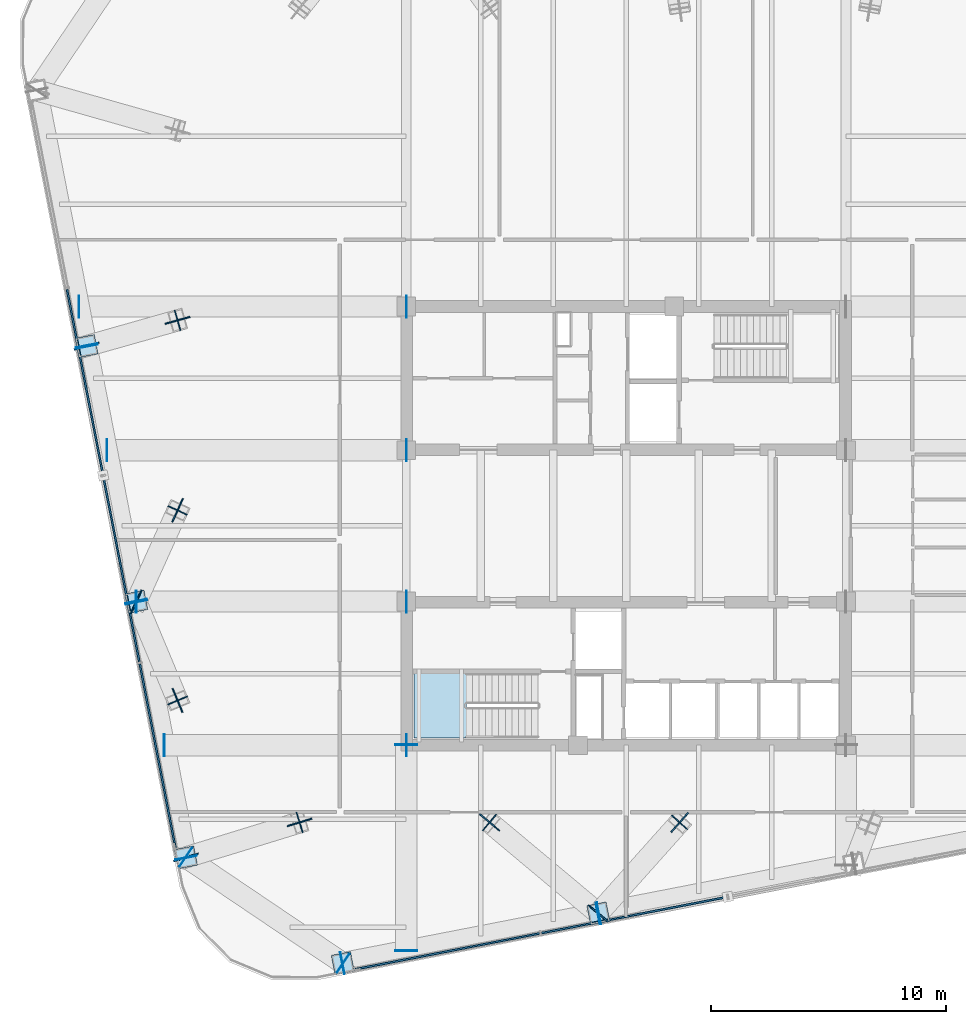
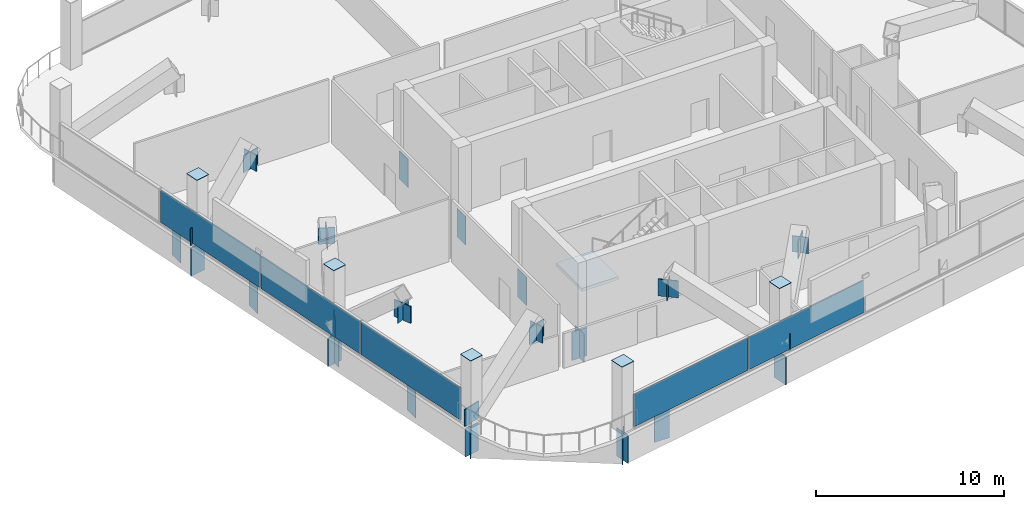
# One storey, part 18 of 26: 46 plates, 1 slab, 3 elements without a shape of their own.
"""IFC4 building model written with IfcOpenShell, lengths in metres."""

from ifc_helpers import new_model, si_unit, direction, frame, origin, origin_2d, place, context, subcontext, project, spatial, polyline, rectangle, outline, extrude, material, layer, layer_set, type_object, element, aggregate, save


model = new_model("IFC4")

# Units and contexts
model_context = context("Model", 3, precision=1e-05, world=origin(), true_north=direction((0.0, 1.0)))
body_context = subcontext(model_context, "Body", "Model", "MODEL_VIEW")
ifc_project = project(units=[si_unit("LENGTHUNIT", "METRE"), si_unit("AREAUNIT", "SQUARE_METRE"), si_unit("VOLUMEUNIT", "CUBIC_METRE"), si_unit("PLANEANGLEUNIT", "RADIAN"), si_unit("MASSUNIT", "GRAM", prefix="KILO")], contexts=[model_context])

# Site, building, storey
site_placement = place(None, origin())
site = spatial("IfcSite", under=ifc_project, at=site_placement, CompositionType="ELEMENT")
building_placement = place(site_placement, origin())
building = spatial("IfcBuilding", under=site, at=building_placement, Name="Qhalaya Broadcast Tower", CompositionType="ELEMENT")
storey_placement = place(building_placement, frame((0.0, 0.0, 140.25)))
storey = spatial("IfcBuildingStorey", under=building, at=storey_placement, Name="L41", CompositionType="ELEMENT", Elevation=140.25)

# Plates
ifc_material_1 = material(Name="Structural Steel ASTM A572 Grade 50", Category="steel")
ifc_layer_1 = layer(ifc_material_1, 0.054931640625, Name="Structural Steel ASTM A572 Grade 50")
ifc_layer_set_1 = layer_set([ifc_layer_1], Name="Structural Steel ASTM A572 Grade 50")
plate_type_1 = type_object("IfcPlateType", Name="Exoskeleton Diamond Node Gusset Plate NP-01", PredefinedType="USERDEFINED", material=ifc_layer_set_1)
for number, where, z_axis, x_axis, name in (
    (1, (-18.762451171875, -13.52880859375, 0.0), (0.0, 0.0, 1.0), (0.955849448873, 0.293856820729, 0.0), "L41 Strut Foot Gusset Plate 01"),
    (2, (-13.919921875, -12.0400390625, 2.7099609375), (0.0, 0.0, 1.0), (0.955849448873, 0.293856820729, 0.0), "L41 Strut Head Gusset Plate 01"),
    (3, (-1.183349609375, -15.91845703125, 0.0), (0.0, 0.0, 1.0), (-0.767030790094, 0.641610292193, 0.0), "L41 Strut Foot Gusset Plate 02"),
    (4, (-5.820068359375, -12.0400390625, 2.7099609375), (0.0, 0.0, 1.0), (-0.767030790094, 0.641610292193, 0.0), "L41 Strut Head Gusset Plate 02"),
    (5, (2.280029296875, -12.0400390625, 2.7099609375), (0.0, 0.0, 1.0), (0.666076960543, 0.745883022084, 0.0), "L41 Strut Head Gusset Plate 03"),
    (6, (-22.998291015625, 8.263427734375, 0.0), (0.0, 0.0, 1.0), (0.962274998667, 0.272078714605, 0.0), "L41 Strut Foot Gusset Plate 14"),
    (7, (-19.1201171875, 9.360107421875, 2.7099609375), (0.0, 0.0, 1.0), (0.962274998667, 0.272078714605, 0.0), "L41 Strut Head Gusset Plate 14"),
    (8, (-20.88037109375, -2.632568359375, 0.0), (0.0, 0.0, 1.0), (0.412071026371, 0.911151726786, 0.0), "L41 Strut Foot Gusset Plate 15"),
    (9, (-19.1201171875, 1.260009765625, 2.7099609375), (0.0, 0.0, 1.0), (0.412071026371, 0.911151726786, 0.0), "L41 Strut Head Gusset Plate 15"),
    (10, (-19.1201171875, -6.840087890625, 2.7099609375), (0.0, 0.0, 1.0), (0.38598654749, -0.922504409288, 0.0), "L41 Strut Head Gusset Plate 16"),
):
    element("IfcPlate", number, at=place(storey_placement, frame(where, z_axis=z_axis, x_axis=x_axis)), inside=storey, type_object=plate_type_1, Name=name, ObjectType="GUSSET_PLATE", PredefinedType="USERDEFINED", context=body_context, shape_type="SweptSolid", body=[
        extrude(rectangle(XDim=1.10009765625, YDim=0.06005859375, at=origin_2d()), origin(), (0.0, 0.0, 1.0), 1.10009765625),
    ])
ifc_layer_2 = layer(ifc_material_1, 0.4599609375, Name="Structural Steel ASTM A572 Grade 50")
ifc_layer_set_2 = layer_set([ifc_layer_2], Name="Structural Steel ASTM A572 Grade 50")
plate_type_2 = type_object("IfcPlateType", Name="Hollow Box Member End Cap Plate CP-01", PredefinedType="USERDEFINED", material=ifc_layer_set_2)
for number, where, z_axis, x_axis, name in (
    (11, (-12.09521484375, -18.039306640625, -2.0400390625), (0.0, 0.0, 1.0), (-0.190808995377, 0.981627183448, 0.0), "L41 Hollow Girder End Cap L41-SPR-01-A"),
    (12, (-1.167724609375, -15.915283203125, -2.0400390625), (0.0, 0.0, 1.0), (-0.190808995377, 0.981627183448, 0.0), "L41 Hollow Girder End Cap L41-SPR-01-B"),
    (13, (-1.19921875, -15.92138671875, -2.0400390625), (0.0, 0.0, 1.0), (-0.190808995377, 0.981627183448, 0.0), "L41 Hollow Girder End Cap L41-SPR-02-A"),
    (14, (-22.995361328125, 8.247802734375, -2.0400390625), (0.0, 0.0, 1.0), (0.981627183448, 0.190808995377, 0.0), "L41 Hollow Girder End Cap L41-SPR-13-B"),
    (15, (-23.00146484375, 8.279052734375, -2.0400390625), (0.0, 0.0, 1.0), (0.981627183448, 0.190808995377, 0.0), "L41 Hollow Girder End Cap L41-SPR-14-A"),
    (16, (-20.877197265625, -2.648193359375, -2.0400390625), (0.0, 0.0, 1.0), (0.981627183448, 0.190808995377, 0.0), "L41 Hollow Girder End Cap L41-SPR-14-B"),
    (17, (-20.883544921875, -2.616943359375, -2.0400390625), (0.0, 0.0, 1.0), (0.981627183448, 0.190808995377, 0.0), "L41 Hollow Girder End Cap L41-SPR-15-A"),
    (18, (-18.75927734375, -13.54443359375, -2.0400390625), (0.0, 0.0, 1.0), (0.981627183448, 0.190808995377, 0.0), "L41 Hollow Girder End Cap L41-SPR-15-B"),
    (19, (-18.775634765625, -13.519775390625, -2.0400390625), (0.0, 0.0, 1.0), (0.559192903471, 0.829037572555, 0.0), "L41 Hollow Girder End Cap L41-SPR-16-A"),
    (20, (-12.066162109375, -18.045166015625, -2.0400390625), (0.0, 0.0, 1.0), (0.559192903471, 0.829037572555, 0.0), "L41 Hollow Girder End Cap L41-SPR-16-B"),
    (21, (-9.375, -17.506103515625, -2.0400390625), (0.0, 0.0, 1.0), (-1.0, 0.0, 0.0), "L41 Hollow Girder End Cap L41-PGXS1-1-A"),
    (22, (-9.375, -8.73388671875, -2.0400390625), (0.0, 0.0, 1.0), (-1.0, 0.0, 0.0), "L41 Hollow Girder End Cap L41-PGXS1-1-B"),
    (23, (-19.68701171875, -8.75, -2.0400390625), (0.0, 0.0, 1.0), (0.0, 1.0, 0.0), "L41 Hollow Girder End Cap L41-PGYW1-1-A"),
    (24, (-9.35888671875, -8.75, -2.0400390625), (0.0, 0.0, 1.0), (0.0, 1.0, 0.0), "L41 Hollow Girder End Cap L41-PGYW1-1-B"),
    (25, (-20.87744140625, -2.625, -2.0400390625), (0.0, 0.0, 1.0), (0.0, 1.0, 0.0), "L41 Hollow Girder End Cap L41-PGYW2-1-A"),
    (26, (-9.35888671875, -2.625, -2.0400390625), (0.0, 0.0, 1.0), (0.0, 1.0, 0.0), "L41 Hollow Girder End Cap L41-PGYW2-1-B"),
    (27, (-22.13134765625, 3.824951171875, -2.0400390625), (0.0, 0.0, 1.0), (0.0, 1.0, 0.0), "L41 Hollow Girder End Cap L41-PGYW3-1-A"),
    (28, (-9.35888671875, 3.824951171875, -2.0400390625), (0.0, 0.0, 1.0), (0.0, 1.0, 0.0), "L41 Hollow Girder End Cap L41-PGYW3-1-B"),
    (29, (-23.322021484375, 9.949951171875, -2.0400390625), (0.0, 0.0, 1.0), (0.0, 1.0, 0.0), "L41 Hollow Girder End Cap L41-PGYW4-1-A"),
    (30, (-9.35888671875, 9.949951171875, -2.0400390625), (0.0, 0.0, 1.0), (0.0, 1.0, 0.0), "L41 Hollow Girder End Cap L41-PGYW4-1-B"),
):
    element("IfcPlate", number, at=place(storey_placement, frame(where, z_axis=z_axis, x_axis=x_axis)), inside=storey, type_object=plate_type_2, Name=name, ObjectType="COVER_PLATE", PredefinedType="USERDEFINED", context=body_context, shape_type="SweptSolid", body=[
        extrude(rectangle(XDim=0.93994140625, YDim=0.031982421875, at=origin_2d()), origin(), (0.0, 0.0, 1.0), 1.840087890625),
    ])
for number, where, z_axis, x_axis, name in (
    (31, (-12.07958984375, -18.036376953125, 4.35009765625), (0.0, 0.0, 1.0), (0.981627183448, 0.190808995377, 0.0), "L41 Hollow Box Column Top Cap Plate COL-EX01"),
    (32, (-1.183349609375, -15.91845703125, 4.35009765625), (0.0, 0.0, 1.0), (0.981627183448, 0.190808995377, 0.0), "L41 Hollow Box Column Top Cap Plate COL-EX02"),
    (33, (-22.998291015625, 8.263427734375, 4.35009765625), (0.0, 0.0, 1.0), (-0.190808995377, 0.981627183448, 0.0), "L41 Hollow Box Column Top Cap Plate COL-EX14"),
    (34, (-20.88037109375, -2.632568359375, 4.35009765625), (0.0, 0.0, 1.0), (-0.190808995377, 0.981627183448, 0.0), "L41 Hollow Box Column Top Cap Plate COL-EX15"),
    (35, (-18.762451171875, -13.52880859375, 4.35009765625), (0.0, 0.0, 1.0), (-0.190808995377, 0.981627183448, 0.0), "L41 Hollow Box Column Top Cap Plate COL-EX16"),
):
    element("IfcPlate", number, at=place(storey_placement, frame(where, z_axis=z_axis, x_axis=x_axis)), inside=storey, type_object=plate_type_2, Name=name, ObjectType="COVER_PLATE", PredefinedType="USERDEFINED", context=body_context, shape_type="SweptSolid", body=[
        extrude(rectangle(XDim=0.840087890625, YDim=0.840087890625, at=origin_2d()), origin(), (0.0, 0.0, 1.0), 0.031982421875),
    ])

# Curtain wall, plates
ifc_material_2 = material(Name="Fired Architectural Terracotta", Category="masonry")
ifc_layer_3 = layer(ifc_material_2, 0.219970703125, Name="Fired Architectural Terracotta")
ifc_layer_set_3 = layer_set([ifc_layer_3], Name="Fired Architectural Terracotta")
curtain_wall_type = type_object("IfcCurtainWallType", Name="Block-Cap Unitised Terracotta Spandrel Wall CW-07", PredefinedType="NOTDEFINED", material=ifc_layer_set_3)
curtain_wall_1_placement = place(storey_placement, origin())
curtain_wall_1 = element("IfcCurtainWall", 36, at=curtain_wall_1_placement, inside=storey, type_object=curtain_wall_type, Name="L41 Unitised Curtain Wall L41-CW-S", PredefinedType="NOTDEFINED")
ifc_layer_4 = layer(ifc_material_2, 0.080078125, Name="Fired Architectural Terracotta")
ifc_layer_set_4 = layer_set([ifc_layer_4], Name="Fired Architectural Terracotta")
plate_type_3 = type_object("IfcPlateType", Name="Insulated Terracotta Spandrel Panel TSP-07", PredefinedType="CURTAIN_PANEL", material=ifc_layer_set_4)
plate_1_placement = place(storey_placement, frame((0.342529296875, -15.988525390625, 0.074951171875), z_axis=(0.0, 0.0, 1.0), x_axis=(-0.981626973255, -0.190810076719, 0.0)))
plate_1 = element("IfcPlate", 37, at=plate_1_placement, type_object=plate_type_3, Name="CW-07 panel 3.1", PredefinedType="CURTAIN_PANEL", context=body_context, shape_type="SweptSolid", body=[
    extrude(rectangle(XDim=8.055908203125, YDim=0.080078125, at=origin_2d()), origin(), (0.0, 0.0, 1.0), 2.10009765625),
])
plate_2_placement = place(storey_placement, frame((-7.62060546875, -17.536376953125, 0.074951171875), z_axis=(0.0, 0.0, 1.0), x_axis=(-0.981626973255, -0.190810076719, 0.0)))
plate_2 = element("IfcPlate", 38, at=plate_2_placement, type_object=plate_type_3, Name="CW-07 panel 4.1", PredefinedType="CURTAIN_PANEL", context=body_context, shape_type="SweptSolid", body=[
    extrude(rectangle(XDim=8.0185546875, YDim=0.080078125, at=origin_2d()), origin(), (0.0, 0.0, 1.0), 2.10009765625),
])
aggregate(curtain_wall_1, [plate_1, plate_2])

curtain_wall_2_placement = place(storey_placement, origin())
curtain_wall_2 = element("IfcCurtainWall", 39, at=curtain_wall_2_placement, inside=storey, type_object=curtain_wall_type, Name="L41 Unitised Curtain Wall L41-CW-W", PredefinedType="NOTDEFINED")
plate_3_placement = place(storey_placement, frame((-19.968994140625, -9.207275390625, 0.074951171875), z_axis=(0.0, 0.0, 1.0), x_axis=(-0.190810076719, 0.981626973255, 0.0)))
plate_3 = element("IfcPlate", 40, at=plate_3_placement, type_object=plate_type_3, Name="CW-07 panel 1.1", PredefinedType="CURTAIN_PANEL", context=body_context, shape_type="SweptSolid", body=[
    extrude(rectangle(XDim=8.0185546875, YDim=0.080078125, at=origin_2d()), origin(), (0.0, 0.0, 1.0), 2.10009765625),
])
plate_4_placement = place(storey_placement, frame((-21.51708984375, -1.244140625, 0.074951171875), z_axis=(0.0, 0.0, 1.0), x_axis=(-0.190810076719, 0.981626973255, 0.0)))
plate_4 = element("IfcPlate", 41, at=plate_4_placement, type_object=plate_type_3, Name="CW-07 panel 2.1", PredefinedType="CURTAIN_PANEL", context=body_context, shape_type="SweptSolid", body=[
    extrude(rectangle(XDim=8.055908203125, YDim=0.080078125, at=origin_2d()), origin(), (0.0, 0.0, 1.0), 2.10009765625),
])
plate_5_placement = place(storey_placement, frame((-23.068603515625, 6.737548828125, 0.074951171875), z_axis=(0.0, 0.0, 1.0), x_axis=(-0.190810076719, 0.981626973255, 0.0)))
plate_5 = element("IfcPlate", 42, at=plate_5_placement, type_object=plate_type_3, Name="CW-07 panel 3.1", PredefinedType="CURTAIN_PANEL", context=body_context, shape_type="SweptSolid", body=[
    extrude(rectangle(XDim=8.055908203125, YDim=0.080078125, at=origin_2d()), origin(), (0.0, 0.0, 1.0), 2.10009765625),
])
aggregate(curtain_wall_2, [plate_3, plate_4, plate_5])

# Stair, slab
ifc_material_3 = material(Name="Concrete C40/50", Category="concrete")
stair_type = type_object("IfcStairType", Name="Protected Dogleg Core Stair 4200", PredefinedType="TWO_STRAIGHT_RUN_STAIR", material=ifc_material_3)
stair_placement = place(storey_placement, origin())
stair = element("IfcStair", 43, at=stair_placement, inside=storey, type_object=stair_type, Name="L41 South Core Exit Stair ST-2", PredefinedType="TWO_STRAIGHT_RUN_STAIR")
ifc_layer_5 = layer(ifc_material_3, 0.199951171875, Name="Concrete C40/50")
ifc_layer_set_5 = layer_set([ifc_layer_5], Name="Concrete C40/50")
slab_type = type_object("IfcSlabType", Name="Stair & Ramp Half-Landing Slab 200", PredefinedType="LANDING", material=ifc_layer_set_5)
slab_placement = place(storey_placement, frame((0.0, 0.0, 1.97509765625)))
slab = element("IfcSlab", 44, at=slab_placement, type_object=slab_type, Name="ST-2 landing 1", PredefinedType="LANDING", context=body_context, shape_type="SweptSolid", body=[
    extrude(outline(polyline([(-6.794921875, -5.679931640625), (-9.050048828125, -5.679931640625), (-9.050048828125, -8.43994140625), (-6.794921875, -8.43994140625), (-6.794921875, -5.679931640625)])), origin(), (0.0, 0.0, 1.0), 0.199951171875),
])
aggregate(stair, [slab])

# Plates
ifc_layer_6 = layer(ifc_material_1, 0.044921875, Name="Structural Steel ASTM A572 Grade 50")
ifc_layer_set_6 = layer_set([ifc_layer_6], Name="Structural Steel ASTM A572 Grade 50")
plate_type_4 = type_object("IfcPlateType", Name="Transfer Girder Web Stiffener Plate WS-01", PredefinedType="USERDEFINED", material=ifc_layer_set_6)
for number, where, z_axis, x_axis, name in (
    (45, (-13.919921875, -12.0400390625, 2.73486328125), (0.0, 0.0, 1.0), (-0.293856820729, 0.955849448873, 0.0), "L41 Strut Head Cross Diaphragm Plate 01"),
    (46, (-5.820068359375, -12.0400390625, 2.73486328125), (0.0, 0.0, 1.0), (-0.641610292193, -0.767030790094, 0.0), "L41 Strut Head Cross Diaphragm Plate 02"),
    (47, (2.280029296875, -12.0400390625, 2.73486328125), (0.0, 0.0, 1.0), (-0.745883022084, 0.666076960543, 0.0), "L41 Strut Head Cross Diaphragm Plate 03"),
    (48, (-19.1201171875, 9.360107421875, 2.73486328125), (0.0, 0.0, 1.0), (-0.272078714605, 0.962274998667, 0.0), "L41 Strut Head Cross Diaphragm Plate 14"),
    (49, (-19.1201171875, 1.260009765625, 2.73486328125), (0.0, 0.0, 1.0), (-0.911151726786, 0.412071026371, 0.0), "L41 Strut Head Cross Diaphragm Plate 15"),
    (50, (-19.1201171875, -6.840087890625, 2.73486328125), (0.0, 0.0, 1.0), (0.922504409288, 0.38598654749, 0.0), "L41 Strut Head Cross Diaphragm Plate 16"),
):
    element("IfcPlate", number, at=place(storey_placement, frame(where, z_axis=z_axis, x_axis=x_axis)), inside=storey, type_object=plate_type_4, Name=name, ObjectType="STIFFENER_PLATE", PredefinedType="USERDEFINED", context=body_context, shape_type="SweptSolid", body=[
        extrude(rectangle(XDim=0.89990234375, YDim=0.044921875, at=origin_2d()), origin(), (0.0, 0.0, 1.0), 1.050048828125),
    ])

save(model, "model.ifc")
